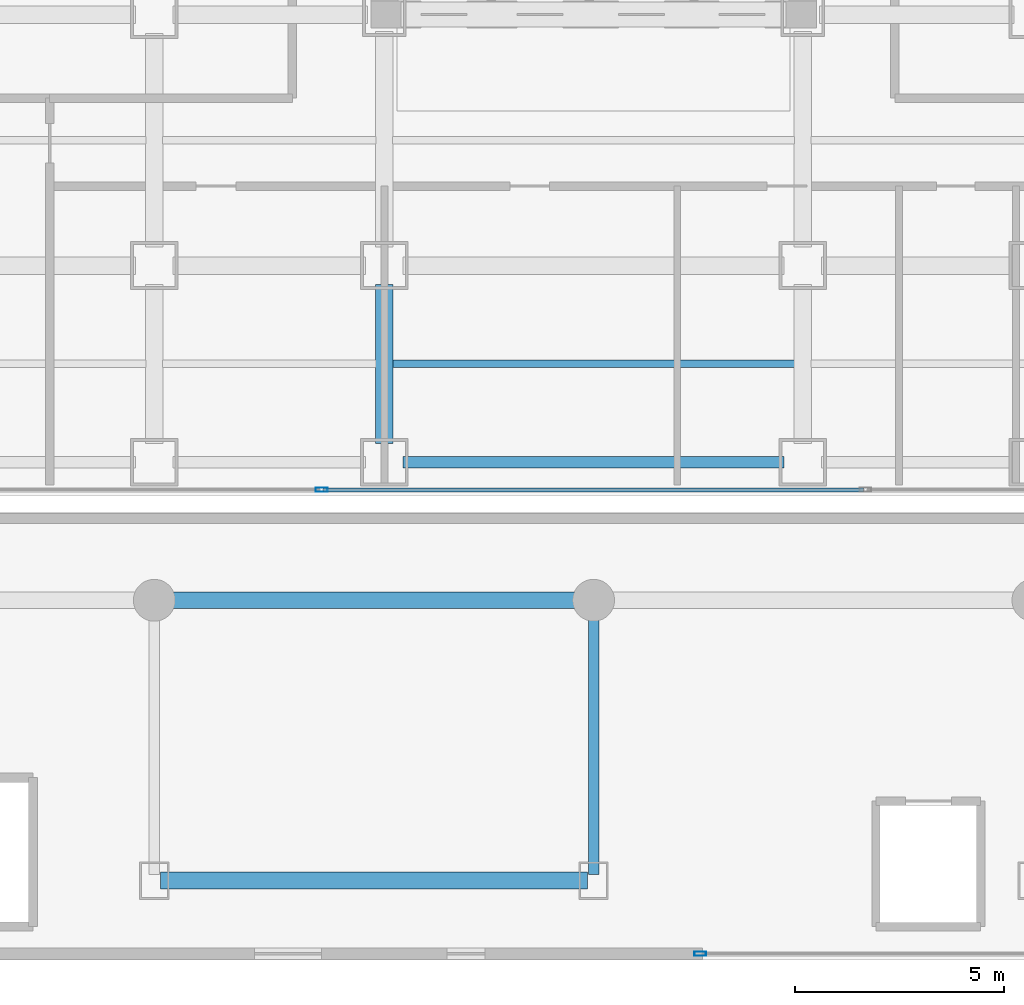
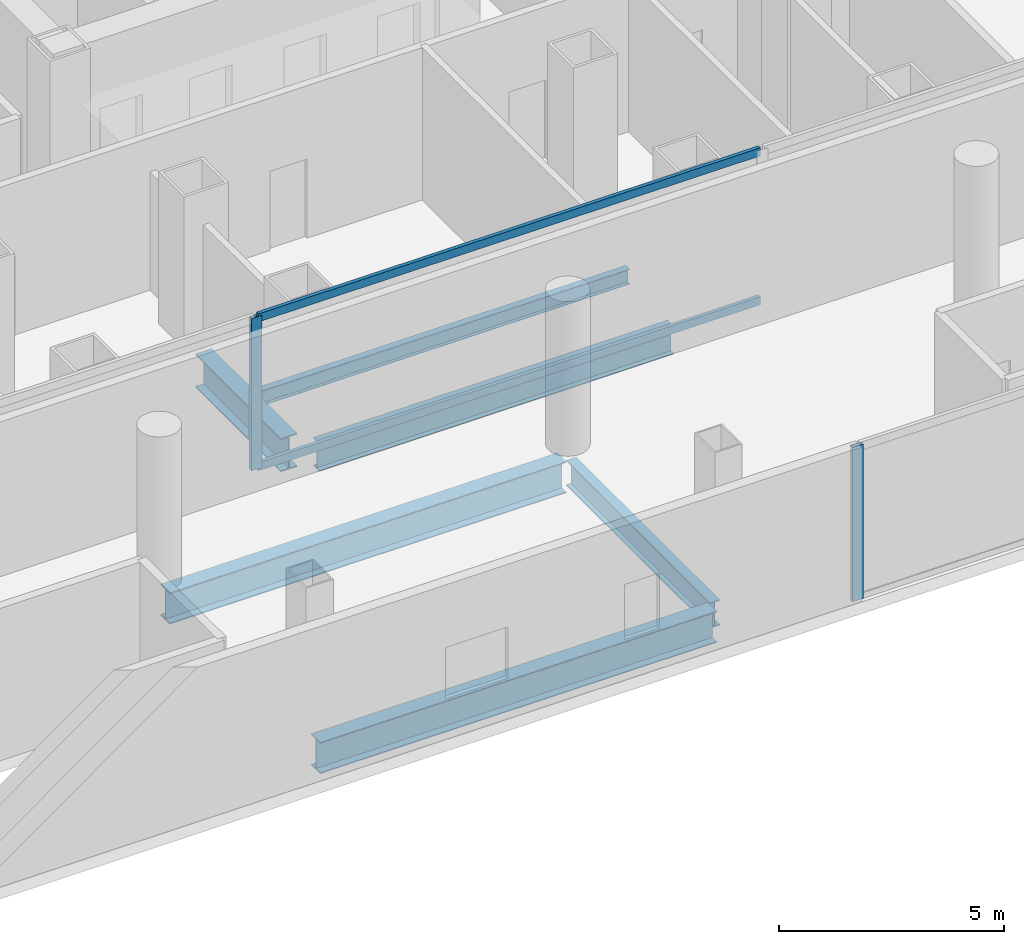
# One storey, part 7 of 28: 6 beams, 4 members, 2 elements without a shape of their own.
"""IFC4 building model written with IfcOpenShell, lengths in metres."""

from ifc_helpers import new_model, si_unit, direction, frame, origin, origin_2d, place, context, subcontext, project, spatial, hollow_rectangle, i_section, extrude, source, transform, mapped, material, layer, layer_set, material_profile, profile_set, type_object, element, aggregate, save


model = new_model("IFC4")

# Units and contexts
model_context = context("Model", 3, precision=1e-05, world=origin(), true_north=direction((0.0, 1.0)))
body_context = subcontext(model_context, "Body", "Model", "MODEL_VIEW")
ifc_project = project(units=[si_unit("LENGTHUNIT", "METRE"), si_unit("AREAUNIT", "SQUARE_METRE"), si_unit("VOLUMEUNIT", "CUBIC_METRE"), si_unit("PLANEANGLEUNIT", "RADIAN"), si_unit("MASSUNIT", "GRAM", prefix="KILO")], contexts=[model_context])

# Site, building, storey
site_placement = place(None, origin())
site = spatial("IfcSite", under=ifc_project, at=site_placement, CompositionType="ELEMENT")
building_placement = place(site_placement, origin())
building = spatial("IfcBuilding", under=site, at=building_placement, Name="Kolveth Station Tower", CompositionType="ELEMENT")
storey_placement = place(building_placement, frame((0.0, 0.0, 18.0)))
storey = spatial("IfcBuildingStorey", under=building, at=storey_placement, Name="L04", CompositionType="ELEMENT", Elevation=18.0)

# Beams
ifc_material_1 = material(Name="Steel S355", Category="steel")
ifc_material_profile_1 = material_profile(ifc_material_1, i_section(OverallWidth=0.26904296875, OverallDepth=0.77490234375, WebThickness=0.01708984375, FlangeThickness=0.0283203125, at=origin_2d()), Name="W760x220")
ifc_profile_set_1 = profile_set([ifc_material_profile_1], Name="Steel S355")
beam_type_1 = type_object("IfcBeamType", Name="Beam_SP1", PredefinedType="SPANDREL", material=ifc_profile_set_1)
shared_shape_1 = source(origin(), body_context, "Body", "SweptSolid", [
    extrude(i_section(OverallWidth=0.26904296875, OverallDepth=0.77490234375, WebThickness=0.01708984375, FlangeThickness=0.0283203125, at=origin_2d()), origin(), (0.0, 0.0, 1.0), 9.10009765625),
])
beam_1_placement = place(storey_placement, frame((18.949951171875, 0.800048828125, -0.70751953125), z_axis=(1.0, 0.0, 0.0), x_axis=(0.0, 1.0, 0.0)))
element("IfcBeam", 1, at=beam_1_placement, inside=storey, type_object=beam_type_1, Name="L04 Perimeter Spandrel BM-L04-PS-3", PredefinedType="SPANDREL", context=body_context, shape_type="MappedRepresentation", body=[
    mapped(shared_shape_1, transform((0.0, 0.0, 0.0), x_axis=(1.0, 0.0, 0.0), y_axis=(0.0, 1.0, 0.0), z_axis=(0.0, 0.0, 1.0), scale=1.0)),
])
ifc_material_profile_2 = material_profile(ifc_material_1, i_section(OverallWidth=0.41796875, OverallDepth=0.912109375, WebThickness=0.019287109375, FlangeThickness=0.031982421875, at=origin_2d()), Name="W920x342")
ifc_profile_set_2 = profile_set([ifc_material_profile_2], Name="Steel S355")
beam_type_2 = type_object("IfcBeamType", Name="Beam_B1", PredefinedType="BEAM", material=ifc_profile_set_2)
shared_shape_2 = source(origin(), body_context, "Body", "SweptSolid", [
    extrude(i_section(OverallWidth=0.41796875, OverallDepth=0.912109375, WebThickness=0.019287109375, FlangeThickness=0.031982421875, at=origin_2d()), origin(), (0.0, 0.0, 1.0), 3.800048828125),
])
beam_2_placement = place(storey_placement, frame((18.5, 1.25, -0.77587890625), z_axis=(0.0, 1.0, 0.0), x_axis=(-1.0, 0.0, 0.0)))
element("IfcBeam", 2, at=beam_2_placement, inside=storey, type_object=beam_type_2, Name="L04 Primary Girder BM-L04-GX185-1", PredefinedType="BEAM", context=body_context, shape_type="MappedRepresentation", body=[
    mapped(shared_shape_2, transform((0.0, 0.0, 0.0), x_axis=(1.0, 0.0, 0.0), y_axis=(0.0, 1.0, 0.0), z_axis=(0.0, 0.0, 1.0), scale=1.0)),
])
ifc_material_profile_3 = material_profile(ifc_material_1, i_section(OverallWidth=0.177978515625, OverallDepth=0.406982421875, WebThickness=0.0078125, FlangeThickness=0.0126953125, at=origin_2d()), Name="W410x60")
ifc_profile_set_3 = profile_set([ifc_material_profile_3], Name="Steel S355")
beam_type_3 = type_object("IfcBeamType", Name="Beam_J1", PredefinedType="JOIST", material=ifc_profile_set_3)
shared_shape_3 = source(origin(), body_context, "Body", "SweptSolid", [
    extrude(i_section(OverallWidth=0.177978515625, OverallDepth=0.406982421875, WebThickness=0.0078125, FlangeThickness=0.0126953125, at=origin_2d()), origin(), (0.0, 0.0, 1.0), 9.60986328125),
])
beam_3_placement = place(storey_placement, frame((18.695068359375, 3.14990234375, -0.5234375), z_axis=(1.0, 0.0, 0.0), x_axis=(0.0, 1.0, 0.0)))
element("IfcBeam", 3, at=beam_3_placement, inside=storey, type_object=beam_type_3, Name="L04 Secondary Joist JST-L04-4-1", PredefinedType="JOIST", context=body_context, shape_type="MappedRepresentation", body=[
    mapped(shared_shape_3, transform((0.0, 0.0, 0.0), x_axis=(1.0, 0.0, 0.0), y_axis=(0.0, 1.0, 0.0), z_axis=(0.0, 0.0, 1.0), scale=1.0)),
])
ifc_material_profile_4 = material_profile(ifc_material_1, i_section(OverallWidth=0.40087890625, OverallDepth=0.85107421875, WebThickness=0.01611328125, FlangeThickness=0.025390625, at=origin_2d()), Name="W840x226")
ifc_profile_set_4 = profile_set([ifc_material_profile_4], Name="Steel S355")
beam_type_4 = type_object("IfcBeamType", Name="Beam_B2", PredefinedType="BEAM", material=ifc_profile_set_4)
shared_shape_4 = source(origin(), body_context, "Body", "SweptSolid", [
    extrude(i_section(OverallWidth=0.40087890625, OverallDepth=0.85107421875, WebThickness=0.01611328125, FlangeThickness=0.025390625, at=origin_2d()), origin(), (0.0, 0.0, 1.0), 10.2001953125),
])
for number, where, z_axis, x_axis, name in (
    (4, (13.14990234375, -9.199951171875, -0.74560546875), (1.0, 0.0, 0.0), (0.0, 1.0, 0.0), "L04 Station Concourse Girder SBM-L04-SL1-2"),
    (5, (13.14990234375, -2.5, -0.74560546875), (1.0, 0.0, 0.0), (0.0, 1.0, 0.0), "L04 Station Concourse Girder SBM-L04-SL2-2"),
):
    element("IfcBeam", number, at=place(storey_placement, frame(where, z_axis=z_axis, x_axis=x_axis)), inside=storey, type_object=beam_type_4, Name=name, PredefinedType="BEAM", context=body_context, shape_type="MappedRepresentation", body=[
        mapped(shared_shape_4, transform((0.0, 0.0, 0.0), x_axis=(1.0, 0.0, 0.0), y_axis=(0.0, 1.0, 0.0), z_axis=(0.0, 0.0, 1.0), scale=1.0)),
    ])
ifc_material_profile_5 = material_profile(ifc_material_1, i_section(OverallWidth=0.25390625, OverallDepth=0.68798828125, WebThickness=0.01318359375, FlangeThickness=0.02099609375, at=origin_2d()), Name="W690x152")
ifc_profile_set_5 = profile_set([ifc_material_profile_5], Name="Steel S355")
beam_type_5 = type_object("IfcBeamType", Name="Beam_B4", PredefinedType="BEAM", material=ifc_profile_set_5)
shared_shape_5 = source(origin(), body_context, "Body", "SweptSolid", [
    extrude(i_section(OverallWidth=0.25390625, OverallDepth=0.68798828125, WebThickness=0.01318359375, FlangeThickness=0.02099609375, at=origin_2d()), origin(), (0.0, 0.0, 1.0), 6.400146484375),
])
beam_4_placement = place(storey_placement, frame((23.5, -9.050048828125, -0.6640625), z_axis=(0.0, 1.0, 0.0), x_axis=(-1.0, 0.0, 0.0)))
element("IfcBeam", 6, at=beam_4_placement, inside=storey, type_object=beam_type_5, Name="L04 Station Transverse Beam SBM-L04-ST-3", PredefinedType="BEAM", context=body_context, shape_type="MappedRepresentation", body=[
    mapped(shared_shape_5, transform((0.0, 0.0, 0.0), x_axis=(1.0, 0.0, 0.0), y_axis=(0.0, 1.0, 0.0), z_axis=(0.0, 0.0, 1.0), scale=1.0)),
])

# Curtain wall, members
ifc_material_2 = material(Name="Black anodized aluminium 6063-T6 and clear station glass", Category="aluminium")
ifc_layer = layer(ifc_material_2, 0.239990234375)
ifc_layer_set = layer_set([ifc_layer], Name="Black anodized aluminium 6063-T6 and clear station glass")
curtain_wall_type = type_object("IfcCurtainWallType", Name="CurtainWall_CW-ST", PredefinedType="NOTDEFINED", material=ifc_layer_set)
curtain_wall_1_placement = place(storey_placement, origin())
curtain_wall_1 = element("IfcCurtainWall", 7, at=curtain_wall_1_placement, inside=storey, type_object=curtain_wall_type, Name="L04 Tower Podium South Storefront Curtain Wall", PredefinedType="NOTDEFINED")
ifc_material_3 = material(Name="Black anodized aluminium 6063-T6", Category="aluminium")
ifc_material_profile_6 = material_profile(ifc_material_3, hollow_rectangle(XDim=0.094970703125, YDim=0.219970703125, WallThickness=0.0048828125, at=origin_2d()), Name="ALU-95x220x5")
ifc_profile_set_6 = profile_set([ifc_material_profile_6], Name="Black anodized aluminium 6063-T6")
member_type_1 = type_object("IfcMemberType", Name="Transom_TR-ST", PredefinedType="USERDEFINED", material=ifc_profile_set_6)
shared_shape_6 = source(origin(), body_context, "Body", "SweptSolid", [
    extrude(hollow_rectangle(XDim=0.094970703125, YDim=0.219970703125, WallThickness=0.0048828125, at=origin_2d()), origin(), (0.0, 0.0, 1.0), 12.89990234375),
])
member_1_placement = place(storey_placement, frame((17.050048828125, 0.139892578125, 0.047607421875), z_axis=(1.0, 0.0, 0.0), x_axis=(0.0, 1.0, 0.0)))
member_1 = element("IfcMember", 8, at=member_1_placement, type_object=member_type_1, Name="CW-ST transom 2.1", ObjectType="TRANSOM", PredefinedType="USERDEFINED", context=body_context, shape_type="MappedRepresentation", body=[
    mapped(shared_shape_6, transform((0.0, 0.0, 0.0), x_axis=(1.0, 0.0, 0.0), y_axis=(0.0, 1.0, 0.0), z_axis=(0.0, 0.0, 1.0), scale=1.0)),
])
member_2_placement = place(storey_placement, frame((17.050048828125, 0.139892578125, 4.092529296875), z_axis=(1.0, 0.0, 0.0), x_axis=(0.0, 1.0, 0.0)))
member_2 = element("IfcMember", 9, at=member_2_placement, type_object=member_type_1, Name="CW-ST transom 2.2", ObjectType="TRANSOM", PredefinedType="USERDEFINED", context=body_context, shape_type="MappedRepresentation", body=[
    mapped(shared_shape_6, transform((0.0, 0.0, 0.0), x_axis=(1.0, 0.0, 0.0), y_axis=(0.0, 1.0, 0.0), z_axis=(0.0, 0.0, 1.0), scale=1.0)),
])
ifc_material_profile_7 = material_profile(ifc_material_3, hollow_rectangle(XDim=0.10009765625, YDim=0.280029296875, WallThickness=0.0048828125, at=origin_2d()), Name="ALU-100x280x5")
ifc_profile_set_7 = profile_set([ifc_material_profile_7], Name="Black anodized aluminium 6063-T6")
member_type_2 = type_object("IfcMemberType", Name="Mullion_ML-ST", PredefinedType="MULLION", material=ifc_profile_set_7)
shared_shape_7 = source(origin(), body_context, "Body", "SweptSolid", [
    extrude(hollow_rectangle(XDim=0.10009765625, YDim=0.280029296875, WallThickness=0.0048828125, at=origin_2d()), origin(), (0.0, 0.0, 1.0), 4.139892578125),
])
member_3_placement = place(storey_placement, frame((17.0, 0.139892578125, 0.0), z_axis=(0.0, 0.0, 1.0), x_axis=(0.0, 1.0, 0.0)))
member_3 = element("IfcMember", 10, at=member_3_placement, type_object=member_type_2, Name="CW-ST mullion 2", PredefinedType="MULLION", context=body_context, shape_type="MappedRepresentation", body=[
    mapped(shared_shape_7, transform((0.0, 0.0, 0.0), x_axis=(1.0, 0.0, 0.0), y_axis=(0.0, 1.0, 0.0), z_axis=(0.0, 0.0, 1.0), scale=1.0)),
])
aggregate(curtain_wall_1, [member_3, member_1, member_2])

# Curtain wall, member
curtain_wall_2_placement = place(storey_placement, origin())
curtain_wall_2 = element("IfcCurtainWall", 11, at=curtain_wall_2_placement, inside=storey, type_object=curtain_wall_type, Name="L04 Station South Concourse Curtain Wall", PredefinedType="NOTDEFINED")
shared_shape_8 = source(origin(), body_context, "Body", "SweptSolid", [
    extrude(hollow_rectangle(XDim=0.10009765625, YDim=0.280029296875, WallThickness=0.0048828125, at=origin_2d()), origin(), (0.0, 0.0, 1.0), 4.199951171875),
])
member_4_placement = place(storey_placement, frame((26.050048828125, -10.949951171875, 0.0), z_axis=(0.0, 0.0, 1.0), x_axis=(0.0, 1.0, 0.0)))
member_4 = element("IfcMember", 12, at=member_4_placement, type_object=member_type_2, Name="CW-ST mullion 1", PredefinedType="MULLION", context=body_context, shape_type="MappedRepresentation", body=[
    mapped(shared_shape_8, transform((0.0, 0.0, 0.0), x_axis=(1.0, 0.0, 0.0), y_axis=(0.0, 1.0, 0.0), z_axis=(0.0, 0.0, 1.0), scale=1.0)),
])
aggregate(curtain_wall_2, [member_4])

save(model, "model.ifc")
